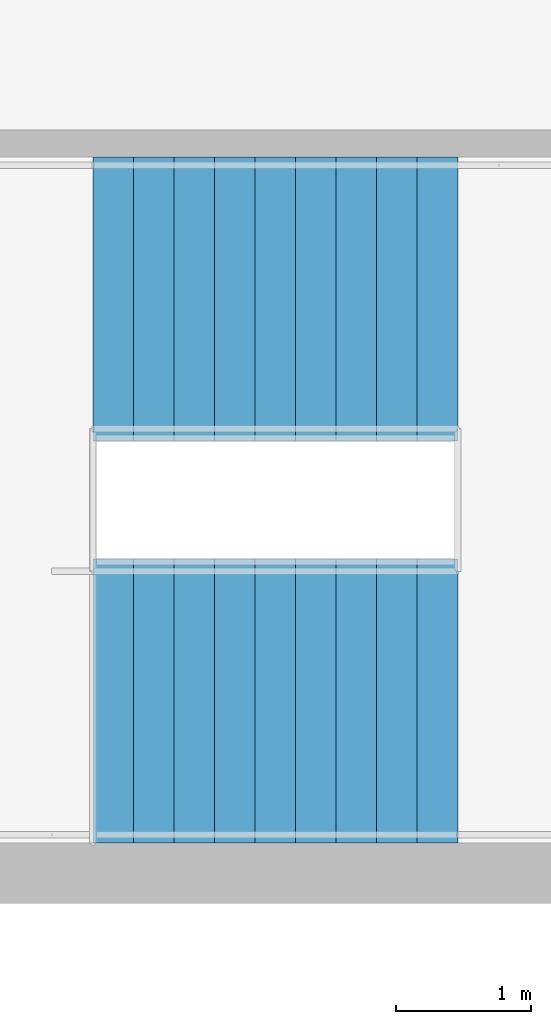
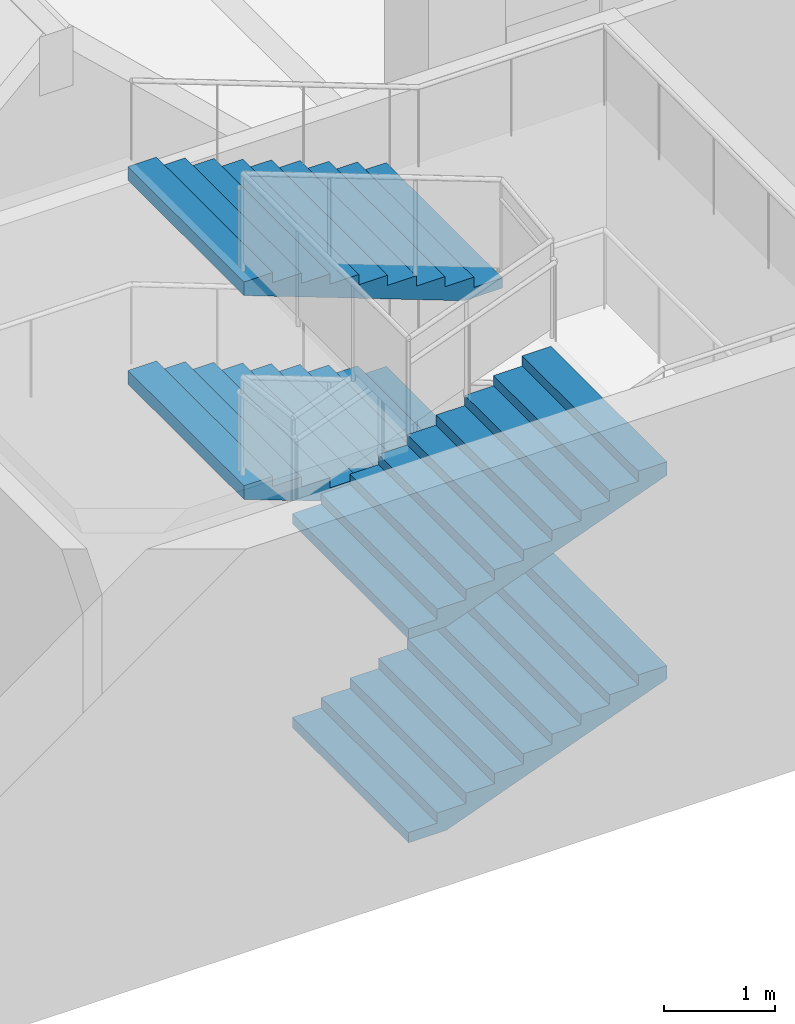
# One storey, part 34 of 56: 4 stair flights, 1 element without a shape of its own.
"""IFC4 building model written with IfcOpenShell, lengths in metres."""

from ifc_helpers import new_model, si_unit, direction, frame, origin, place, context, subcontext, project, spatial, faceted_brep, material, type_object, element, aggregate, save


model = new_model("IFC4")

# Units and contexts
model_context = context("Model", 3, precision=1e-05, world=origin(), true_north=direction((0.0, 1.0)))
body_context = subcontext(model_context, "Body", "Model", "MODEL_VIEW")
ifc_project = project(units=[si_unit("LENGTHUNIT", "METRE"), si_unit("AREAUNIT", "SQUARE_METRE"), si_unit("VOLUMEUNIT", "CUBIC_METRE"), si_unit("PLANEANGLEUNIT", "RADIAN"), si_unit("MASSUNIT", "GRAM", prefix="KILO")], contexts=[model_context])

# Site, building, storey
site_placement = place(None, origin())
site = spatial("IfcSite", under=ifc_project, at=site_placement, CompositionType="ELEMENT")
building_placement = place(site_placement, origin())
building = spatial("IfcBuilding", under=site, at=building_placement, Name="Rulbaag Community and Learning Centre", CompositionType="ELEMENT")
storey_placement = place(building_placement, frame((0.0, 0.0, 9.89990234375)))
storey = spatial("IfcBuildingStorey", under=building, at=storey_placement, Name="L02", CompositionType="ELEMENT", Elevation=9.89990234375)

# Stair, stair flights
ifc_material = material(Name="Concrete M40", Category="concrete")
stair_type = type_object("IfcStairType", Name="ST-2100 STAIR 2100 WIDE", PredefinedType="HALF_TURN_STAIR", material=ifc_material)
stair_placement = place(storey_placement, origin())
stair = element("IfcStair", 1, at=stair_placement, inside=storey, type_object=stair_type, Name="Stair ST-H9 L02", PredefinedType="HALF_TURN_STAIR")
stair_flight_type = type_object("IfcStairFlightType", Name="FL-2100 FLIGHT 2100 WIDE Concrete M40", PredefinedType="STRAIGHT", material=ifc_material)
stair_flight_1_placement = place(storey_placement, frame((20.10009765625, 1.27490234375, 0.0), z_axis=(0.0, 0.0, 1.0), x_axis=(1.0, 0.0, 0.0)))
stair_flight_1 = element("IfcStairFlight", 2, at=stair_flight_1_placement, type_object=stair_flight_type, Name="ST-H9 flight 1", NumberOfRisers=10, NumberOfTreads=9, PredefinedType="STRAIGHT", RiserHeight=0.1125, TreadLength=0.3, context=body_context, shape_type="Brep", body=[
    faceted_brep([(0.3984375, -1.050048828125, 0.0), (2.699951171875, -1.050048828125, 0.863037109375), (2.699951171875, -1.050048828125, 1.012451171875), (2.39990234375, -1.050048828125, 1.012451171875), (2.39990234375, -1.050048828125, 0.89990234375), (2.10009765625, -1.050048828125, 0.89990234375), (2.10009765625, -1.050048828125, 0.78759765625), (1.800048828125, -1.050048828125, 0.78759765625), (1.800048828125, -1.050048828125, 0.675048828125), (1.5, -1.050048828125, 0.675048828125), (1.5, -1.050048828125, 0.5625), (1.199951171875, -1.050048828125, 0.5625), (1.199951171875, -1.050048828125, 0.449951171875), (0.89990234375, -1.050048828125, 0.449951171875), (0.89990234375, -1.050048828125, 0.33740234375), (0.60009765625, -1.050048828125, 0.33740234375), (0.60009765625, -1.050048828125, 0.22509765625), (0.300048828125, -1.050048828125, 0.22509765625), (0.300048828125, -1.050048828125, 0.112548828125), (0.0, -1.050048828125, 0.112548828125), (0.0, -1.050048828125, 0.0), (0.0, 1.050048828125, 0.0), (0.0, 1.050048828125, 0.112548828125), (0.300048828125, 1.050048828125, 0.112548828125), (0.300048828125, 1.050048828125, 0.22509765625), (0.60009765625, 1.050048828125, 0.22509765625), (0.60009765625, 1.050048828125, 0.33740234375), (0.89990234375, 1.050048828125, 0.33740234375), (0.89990234375, 1.050048828125, 0.449951171875), (1.199951171875, 1.050048828125, 0.449951171875), (1.199951171875, 1.050048828125, 0.5625), (1.5, 1.050048828125, 0.5625), (1.5, 1.050048828125, 0.675048828125), (1.800048828125, 1.050048828125, 0.675048828125), (1.800048828125, 1.050048828125, 0.78759765625), (2.10009765625, 1.050048828125, 0.78759765625), (2.10009765625, 1.050048828125, 0.89990234375), (2.39990234375, 1.050048828125, 0.89990234375), (2.39990234375, 1.050048828125, 1.012451171875), (2.699951171875, 1.050048828125, 1.012451171875), (2.699951171875, 1.050048828125, 0.863037109375), (0.3984375, 1.050048828125, 0.0), (0.0, -0.52490234375, 0.112548828125), (0.0, -0.52490234375, 0.0), (0.0, 0.0, 0.112548828125), (0.0, 0.0, 0.0), (0.0, 0.52490234375, 0.112548828125), (0.0, 0.52490234375, 0.0), (0.300048828125, -0.52490234375, 0.112548828125), (0.300048828125, 0.0, 0.112548828125), (0.300048828125, 0.52490234375, 0.112548828125), (0.300048828125, -0.52490234375, 0.22509765625), (0.300048828125, 0.0, 0.22509765625), (0.300048828125, 0.52490234375, 0.22509765625), (0.60009765625, -0.52490234375, 0.22509765625), (0.60009765625, 0.0, 0.22509765625), (0.60009765625, 0.52490234375, 0.22509765625), (0.60009765625, -0.52490234375, 0.33740234375), (0.60009765625, 0.0, 0.33740234375), (0.60009765625, 0.52490234375, 0.33740234375), (0.89990234375, -0.52490234375, 0.33740234375), (0.89990234375, 0.0, 0.33740234375), (0.89990234375, 0.52490234375, 0.33740234375), (0.89990234375, -0.52490234375, 0.449951171875), (0.89990234375, 0.0, 0.449951171875), (0.89990234375, 0.52490234375, 0.449951171875), (1.199951171875, -0.52490234375, 0.449951171875), (1.199951171875, 0.0, 0.449951171875), (1.199951171875, 0.52490234375, 0.449951171875), (1.199951171875, -0.52490234375, 0.5625), (1.199951171875, 0.0, 0.5625), (1.199951171875, 0.52490234375, 0.5625), (1.5, -0.52490234375, 0.5625), (1.5, 0.0, 0.5625), (1.5, 0.52490234375, 0.5625), (1.5, -0.52490234375, 0.675048828125), (1.5, 0.0, 0.675048828125), (1.5, 0.52490234375, 0.675048828125), (1.800048828125, -0.52490234375, 0.675048828125), (1.800048828125, 0.0, 0.675048828125), (1.800048828125, 0.52490234375, 0.675048828125), (1.800048828125, -0.52490234375, 0.78759765625), (1.800048828125, 0.0, 0.78759765625), (1.800048828125, 0.52490234375, 0.78759765625), (2.10009765625, -0.52490234375, 0.78759765625), (2.10009765625, 0.0, 0.78759765625), (2.10009765625, 0.52490234375, 0.78759765625), (2.10009765625, -0.52490234375, 0.89990234375), (2.10009765625, 0.0, 0.89990234375), (2.10009765625, 0.52490234375, 0.89990234375), (2.39990234375, -0.52490234375, 0.89990234375), (2.39990234375, 0.0, 0.89990234375), (2.39990234375, 0.52490234375, 0.89990234375), (2.39990234375, -0.52490234375, 1.012451171875), (2.39990234375, 0.0, 1.012451171875), (2.39990234375, 0.52490234375, 1.012451171875), (2.699951171875, -0.52490234375, 1.012451171875), (2.699951171875, 0.0, 1.012451171875), (2.699951171875, 0.52490234375, 1.012451171875), (2.699951171875, -0.52490234375, 0.863037109375), (2.699951171875, 0.0, 0.863037109375), (2.699951171875, 0.52490234375, 0.863037109375), (0.3984375, -0.52490234375, 0.0), (0.3984375, 0.0, 0.0), (0.3984375, 0.52490234375, 0.0)], [[[0, 1, 2, 3, 4, 5, 6, 7, 8, 9, 10, 11, 12, 13, 14, 15, 16, 17, 18, 19, 20]], [[21, 22, 23, 24, 25, 26, 27, 28, 29, 30, 31, 32, 33, 34, 35, 36, 37, 38, 39, 40, 41]], [[20, 19, 42, 43]], [[43, 42, 44, 45]], [[45, 44, 46, 47]], [[47, 46, 22, 21]], [[19, 18, 48, 42]], [[42, 48, 49, 44]], [[44, 49, 50, 46]], [[46, 50, 23, 22]], [[18, 17, 51, 48]], [[48, 51, 52, 49]], [[49, 52, 53, 50]], [[50, 53, 24, 23]], [[17, 16, 54, 51]], [[51, 54, 55, 52]], [[52, 55, 56, 53]], [[53, 56, 25, 24]], [[16, 15, 57, 54]], [[54, 57, 58, 55]], [[55, 58, 59, 56]], [[56, 59, 26, 25]], [[15, 14, 60, 57]], [[57, 60, 61, 58]], [[58, 61, 62, 59]], [[59, 62, 27, 26]], [[14, 13, 63, 60]], [[60, 63, 64, 61]], [[61, 64, 65, 62]], [[62, 65, 28, 27]], [[13, 12, 66, 63]], [[63, 66, 67, 64]], [[64, 67, 68, 65]], [[65, 68, 29, 28]], [[12, 11, 69, 66]], [[66, 69, 70, 67]], [[67, 70, 71, 68]], [[68, 71, 30, 29]], [[11, 10, 72, 69]], [[69, 72, 73, 70]], [[70, 73, 74, 71]], [[71, 74, 31, 30]], [[10, 9, 75, 72]], [[72, 75, 76, 73]], [[73, 76, 77, 74]], [[74, 77, 32, 31]], [[9, 8, 78, 75]], [[75, 78, 79, 76]], [[76, 79, 80, 77]], [[77, 80, 33, 32]], [[8, 7, 81, 78]], [[78, 81, 82, 79]], [[79, 82, 83, 80]], [[80, 83, 34, 33]], [[7, 6, 84, 81]], [[81, 84, 85, 82]], [[82, 85, 86, 83]], [[83, 86, 35, 34]], [[6, 5, 87, 84]], [[84, 87, 88, 85]], [[85, 88, 89, 86]], [[86, 89, 36, 35]], [[5, 4, 90, 87]], [[87, 90, 91, 88]], [[88, 91, 92, 89]], [[89, 92, 37, 36]], [[4, 3, 93, 90]], [[90, 93, 94, 91]], [[91, 94, 95, 92]], [[92, 95, 38, 37]], [[3, 2, 96, 93]], [[93, 96, 97, 94]], [[94, 97, 98, 95]], [[95, 98, 39, 38]], [[2, 1, 99, 96]], [[96, 99, 100, 97]], [[97, 100, 101, 98]], [[98, 101, 40, 39]], [[1, 0, 102, 99]], [[99, 102, 103, 100]], [[100, 103, 104, 101]], [[101, 104, 41, 40]], [[0, 20, 43, 102]], [[102, 43, 45, 103]], [[103, 45, 47, 104]], [[104, 47, 21, 41]]]),
])
stair_flight_2_placement = place(storey_placement, frame((22.800048828125, 4.25, 1.125), z_axis=(0.0, 0.0, 1.0), x_axis=(-1.0, 0.0, 0.0)))
stair_flight_2 = element("IfcStairFlight", 3, at=stair_flight_2_placement, type_object=stair_flight_type, Name="ST-H9 flight 2", NumberOfRisers=10, NumberOfTreads=9, PredefinedType="STRAIGHT", RiserHeight=0.1125, TreadLength=0.3, context=body_context, shape_type="Brep", body=[
    faceted_brep([(0.3984375, -1.050048828125, 0.0), (2.699951171875, -1.050048828125, 0.863037109375), (2.699951171875, -1.050048828125, 1.012451171875), (2.39990234375, -1.050048828125, 1.012451171875), (2.39990234375, -1.050048828125, 0.89990234375), (2.10009765625, -1.050048828125, 0.89990234375), (2.10009765625, -1.050048828125, 0.78759765625), (1.800048828125, -1.050048828125, 0.78759765625), (1.800048828125, -1.050048828125, 0.675048828125), (1.5, -1.050048828125, 0.675048828125), (1.5, -1.050048828125, 0.5625), (1.199951171875, -1.050048828125, 0.5625), (1.199951171875, -1.050048828125, 0.449951171875), (0.89990234375, -1.050048828125, 0.449951171875), (0.89990234375, -1.050048828125, 0.33740234375), (0.60009765625, -1.050048828125, 0.33740234375), (0.60009765625, -1.050048828125, 0.22509765625), (0.300048828125, -1.050048828125, 0.22509765625), (0.300048828125, -1.050048828125, 0.112548828125), (0.0, -1.050048828125, 0.112548828125), (0.0, -1.050048828125, 0.0), (0.0, 1.050048828125, 0.0), (0.0, 1.050048828125, 0.112548828125), (0.300048828125, 1.050048828125, 0.112548828125), (0.300048828125, 1.050048828125, 0.22509765625), (0.60009765625, 1.050048828125, 0.22509765625), (0.60009765625, 1.050048828125, 0.33740234375), (0.89990234375, 1.050048828125, 0.33740234375), (0.89990234375, 1.050048828125, 0.449951171875), (1.199951171875, 1.050048828125, 0.449951171875), (1.199951171875, 1.050048828125, 0.5625), (1.5, 1.050048828125, 0.5625), (1.5, 1.050048828125, 0.675048828125), (1.800048828125, 1.050048828125, 0.675048828125), (1.800048828125, 1.050048828125, 0.78759765625), (2.10009765625, 1.050048828125, 0.78759765625), (2.10009765625, 1.050048828125, 0.89990234375), (2.39990234375, 1.050048828125, 0.89990234375), (2.39990234375, 1.050048828125, 1.012451171875), (2.699951171875, 1.050048828125, 1.012451171875), (2.699951171875, 1.050048828125, 0.863037109375), (0.3984375, 1.050048828125, 0.0), (0.0, -0.52490234375, 0.112548828125), (0.0, -0.52490234375, 0.0), (0.0, 0.0, 0.112548828125), (0.0, 0.0, 0.0), (0.0, 0.52490234375, 0.112548828125), (0.0, 0.52490234375, 0.0), (0.300048828125, -0.52490234375, 0.112548828125), (0.300048828125, 0.0, 0.112548828125), (0.300048828125, 0.52490234375, 0.112548828125), (0.300048828125, -0.52490234375, 0.22509765625), (0.300048828125, 0.0, 0.22509765625), (0.300048828125, 0.52490234375, 0.22509765625), (0.60009765625, -0.52490234375, 0.22509765625), (0.60009765625, 0.0, 0.22509765625), (0.60009765625, 0.52490234375, 0.22509765625), (0.60009765625, -0.52490234375, 0.33740234375), (0.60009765625, 0.0, 0.33740234375), (0.60009765625, 0.52490234375, 0.33740234375), (0.89990234375, -0.52490234375, 0.33740234375), (0.89990234375, 0.0, 0.33740234375), (0.89990234375, 0.52490234375, 0.33740234375), (0.89990234375, -0.52490234375, 0.449951171875), (0.89990234375, 0.0, 0.449951171875), (0.89990234375, 0.52490234375, 0.449951171875), (1.199951171875, -0.52490234375, 0.449951171875), (1.199951171875, 0.0, 0.449951171875), (1.199951171875, 0.52490234375, 0.449951171875), (1.199951171875, -0.52490234375, 0.5625), (1.199951171875, 0.0, 0.5625), (1.199951171875, 0.52490234375, 0.5625), (1.5, -0.52490234375, 0.5625), (1.5, 0.0, 0.5625), (1.5, 0.52490234375, 0.5625), (1.5, -0.52490234375, 0.675048828125), (1.5, 0.0, 0.675048828125), (1.5, 0.52490234375, 0.675048828125), (1.800048828125, -0.52490234375, 0.675048828125), (1.800048828125, 0.0, 0.675048828125), (1.800048828125, 0.52490234375, 0.675048828125), (1.800048828125, -0.52490234375, 0.78759765625), (1.800048828125, 0.0, 0.78759765625), (1.800048828125, 0.52490234375, 0.78759765625), (2.10009765625, -0.52490234375, 0.78759765625), (2.10009765625, 0.0, 0.78759765625), (2.10009765625, 0.52490234375, 0.78759765625), (2.10009765625, -0.52490234375, 0.89990234375), (2.10009765625, 0.0, 0.89990234375), (2.10009765625, 0.52490234375, 0.89990234375), (2.39990234375, -0.52490234375, 0.89990234375), (2.39990234375, 0.0, 0.89990234375), (2.39990234375, 0.52490234375, 0.89990234375), (2.39990234375, -0.52490234375, 1.012451171875), (2.39990234375, 0.0, 1.012451171875), (2.39990234375, 0.52490234375, 1.012451171875), (2.699951171875, -0.52490234375, 1.012451171875), (2.699951171875, 0.0, 1.012451171875), (2.699951171875, 0.52490234375, 1.012451171875), (2.699951171875, -0.52490234375, 0.863037109375), (2.699951171875, 0.0, 0.863037109375), (2.699951171875, 0.52490234375, 0.863037109375), (0.3984375, -0.52490234375, 0.0), (0.3984375, 0.0, 0.0), (0.3984375, 0.52490234375, 0.0)], [[[0, 1, 2, 3, 4, 5, 6, 7, 8, 9, 10, 11, 12, 13, 14, 15, 16, 17, 18, 19, 20]], [[21, 22, 23, 24, 25, 26, 27, 28, 29, 30, 31, 32, 33, 34, 35, 36, 37, 38, 39, 40, 41]], [[20, 19, 42, 43]], [[43, 42, 44, 45]], [[45, 44, 46, 47]], [[47, 46, 22, 21]], [[19, 18, 48, 42]], [[42, 48, 49, 44]], [[44, 49, 50, 46]], [[46, 50, 23, 22]], [[18, 17, 51, 48]], [[48, 51, 52, 49]], [[49, 52, 53, 50]], [[50, 53, 24, 23]], [[17, 16, 54, 51]], [[51, 54, 55, 52]], [[52, 55, 56, 53]], [[53, 56, 25, 24]], [[16, 15, 57, 54]], [[54, 57, 58, 55]], [[55, 58, 59, 56]], [[56, 59, 26, 25]], [[15, 14, 60, 57]], [[57, 60, 61, 58]], [[58, 61, 62, 59]], [[59, 62, 27, 26]], [[14, 13, 63, 60]], [[60, 63, 64, 61]], [[61, 64, 65, 62]], [[62, 65, 28, 27]], [[13, 12, 66, 63]], [[63, 66, 67, 64]], [[64, 67, 68, 65]], [[65, 68, 29, 28]], [[12, 11, 69, 66]], [[66, 69, 70, 67]], [[67, 70, 71, 68]], [[68, 71, 30, 29]], [[11, 10, 72, 69]], [[69, 72, 73, 70]], [[70, 73, 74, 71]], [[71, 74, 31, 30]], [[10, 9, 75, 72]], [[72, 75, 76, 73]], [[73, 76, 77, 74]], [[74, 77, 32, 31]], [[9, 8, 78, 75]], [[75, 78, 79, 76]], [[76, 79, 80, 77]], [[77, 80, 33, 32]], [[8, 7, 81, 78]], [[78, 81, 82, 79]], [[79, 82, 83, 80]], [[80, 83, 34, 33]], [[7, 6, 84, 81]], [[81, 84, 85, 82]], [[82, 85, 86, 83]], [[83, 86, 35, 34]], [[6, 5, 87, 84]], [[84, 87, 88, 85]], [[85, 88, 89, 86]], [[86, 89, 36, 35]], [[5, 4, 90, 87]], [[87, 90, 91, 88]], [[88, 91, 92, 89]], [[89, 92, 37, 36]], [[4, 3, 93, 90]], [[90, 93, 94, 91]], [[91, 94, 95, 92]], [[92, 95, 38, 37]], [[3, 2, 96, 93]], [[93, 96, 97, 94]], [[94, 97, 98, 95]], [[95, 98, 39, 38]], [[2, 1, 99, 96]], [[96, 99, 100, 97]], [[97, 100, 101, 98]], [[98, 101, 40, 39]], [[1, 0, 102, 99]], [[99, 102, 103, 100]], [[100, 103, 104, 101]], [[101, 104, 41, 40]], [[0, 20, 43, 102]], [[102, 43, 45, 103]], [[103, 45, 47, 104]], [[104, 47, 21, 41]]]),
])
stair_flight_3_placement = place(storey_placement, frame((20.10009765625, 1.27490234375, 2.25), z_axis=(0.0, 0.0, 1.0), x_axis=(1.0, 0.0, 0.0)))
stair_flight_3 = element("IfcStairFlight", 4, at=stair_flight_3_placement, type_object=stair_flight_type, Name="ST-H9 flight 3", NumberOfRisers=10, NumberOfTreads=9, PredefinedType="STRAIGHT", RiserHeight=0.1125, TreadLength=0.3, context=body_context, shape_type="Brep", body=[
    faceted_brep([(0.3984375, -1.050048828125, 0.0), (2.699951171875, -1.050048828125, 0.863037109375), (2.699951171875, -1.050048828125, 1.012451171875), (2.39990234375, -1.050048828125, 1.012451171875), (2.39990234375, -1.050048828125, 0.89990234375), (2.10009765625, -1.050048828125, 0.89990234375), (2.10009765625, -1.050048828125, 0.78759765625), (1.800048828125, -1.050048828125, 0.78759765625), (1.800048828125, -1.050048828125, 0.675048828125), (1.5, -1.050048828125, 0.675048828125), (1.5, -1.050048828125, 0.5625), (1.199951171875, -1.050048828125, 0.5625), (1.199951171875, -1.050048828125, 0.449951171875), (0.89990234375, -1.050048828125, 0.449951171875), (0.89990234375, -1.050048828125, 0.33740234375), (0.60009765625, -1.050048828125, 0.33740234375), (0.60009765625, -1.050048828125, 0.22509765625), (0.300048828125, -1.050048828125, 0.22509765625), (0.300048828125, -1.050048828125, 0.112548828125), (0.0, -1.050048828125, 0.112548828125), (0.0, -1.050048828125, 0.0), (0.0, 1.050048828125, 0.0), (0.0, 1.050048828125, 0.112548828125), (0.300048828125, 1.050048828125, 0.112548828125), (0.300048828125, 1.050048828125, 0.22509765625), (0.60009765625, 1.050048828125, 0.22509765625), (0.60009765625, 1.050048828125, 0.33740234375), (0.89990234375, 1.050048828125, 0.33740234375), (0.89990234375, 1.050048828125, 0.449951171875), (1.199951171875, 1.050048828125, 0.449951171875), (1.199951171875, 1.050048828125, 0.5625), (1.5, 1.050048828125, 0.5625), (1.5, 1.050048828125, 0.675048828125), (1.800048828125, 1.050048828125, 0.675048828125), (1.800048828125, 1.050048828125, 0.78759765625), (2.10009765625, 1.050048828125, 0.78759765625), (2.10009765625, 1.050048828125, 0.89990234375), (2.39990234375, 1.050048828125, 0.89990234375), (2.39990234375, 1.050048828125, 1.012451171875), (2.699951171875, 1.050048828125, 1.012451171875), (2.699951171875, 1.050048828125, 0.863037109375), (0.3984375, 1.050048828125, 0.0), (0.0, -0.52490234375, 0.112548828125), (0.0, -0.52490234375, 0.0), (0.0, 0.0, 0.112548828125), (0.0, 0.0, 0.0), (0.0, 0.52490234375, 0.112548828125), (0.0, 0.52490234375, 0.0), (0.300048828125, -0.52490234375, 0.112548828125), (0.300048828125, 0.0, 0.112548828125), (0.300048828125, 0.52490234375, 0.112548828125), (0.300048828125, -0.52490234375, 0.22509765625), (0.300048828125, 0.0, 0.22509765625), (0.300048828125, 0.52490234375, 0.22509765625), (0.60009765625, -0.52490234375, 0.22509765625), (0.60009765625, 0.0, 0.22509765625), (0.60009765625, 0.52490234375, 0.22509765625), (0.60009765625, -0.52490234375, 0.33740234375), (0.60009765625, 0.0, 0.33740234375), (0.60009765625, 0.52490234375, 0.33740234375), (0.89990234375, -0.52490234375, 0.33740234375), (0.89990234375, 0.0, 0.33740234375), (0.89990234375, 0.52490234375, 0.33740234375), (0.89990234375, -0.52490234375, 0.449951171875), (0.89990234375, 0.0, 0.449951171875), (0.89990234375, 0.52490234375, 0.449951171875), (1.199951171875, -0.52490234375, 0.449951171875), (1.199951171875, 0.0, 0.449951171875), (1.199951171875, 0.52490234375, 0.449951171875), (1.199951171875, -0.52490234375, 0.5625), (1.199951171875, 0.0, 0.5625), (1.199951171875, 0.52490234375, 0.5625), (1.5, -0.52490234375, 0.5625), (1.5, 0.0, 0.5625), (1.5, 0.52490234375, 0.5625), (1.5, -0.52490234375, 0.675048828125), (1.5, 0.0, 0.675048828125), (1.5, 0.52490234375, 0.675048828125), (1.800048828125, -0.52490234375, 0.675048828125), (1.800048828125, 0.0, 0.675048828125), (1.800048828125, 0.52490234375, 0.675048828125), (1.800048828125, -0.52490234375, 0.78759765625), (1.800048828125, 0.0, 0.78759765625), (1.800048828125, 0.52490234375, 0.78759765625), (2.10009765625, -0.52490234375, 0.78759765625), (2.10009765625, 0.0, 0.78759765625), (2.10009765625, 0.52490234375, 0.78759765625), (2.10009765625, -0.52490234375, 0.89990234375), (2.10009765625, 0.0, 0.89990234375), (2.10009765625, 0.52490234375, 0.89990234375), (2.39990234375, -0.52490234375, 0.89990234375), (2.39990234375, 0.0, 0.89990234375), (2.39990234375, 0.52490234375, 0.89990234375), (2.39990234375, -0.52490234375, 1.012451171875), (2.39990234375, 0.0, 1.012451171875), (2.39990234375, 0.52490234375, 1.012451171875), (2.699951171875, -0.52490234375, 1.012451171875), (2.699951171875, 0.0, 1.012451171875), (2.699951171875, 0.52490234375, 1.012451171875), (2.699951171875, -0.52490234375, 0.863037109375), (2.699951171875, 0.0, 0.863037109375), (2.699951171875, 0.52490234375, 0.863037109375), (0.3984375, -0.52490234375, 0.0), (0.3984375, 0.0, 0.0), (0.3984375, 0.52490234375, 0.0)], [[[0, 1, 2, 3, 4, 5, 6, 7, 8, 9, 10, 11, 12, 13, 14, 15, 16, 17, 18, 19, 20]], [[21, 22, 23, 24, 25, 26, 27, 28, 29, 30, 31, 32, 33, 34, 35, 36, 37, 38, 39, 40, 41]], [[20, 19, 42, 43]], [[43, 42, 44, 45]], [[45, 44, 46, 47]], [[47, 46, 22, 21]], [[19, 18, 48, 42]], [[42, 48, 49, 44]], [[44, 49, 50, 46]], [[46, 50, 23, 22]], [[18, 17, 51, 48]], [[48, 51, 52, 49]], [[49, 52, 53, 50]], [[50, 53, 24, 23]], [[17, 16, 54, 51]], [[51, 54, 55, 52]], [[52, 55, 56, 53]], [[53, 56, 25, 24]], [[16, 15, 57, 54]], [[54, 57, 58, 55]], [[55, 58, 59, 56]], [[56, 59, 26, 25]], [[15, 14, 60, 57]], [[57, 60, 61, 58]], [[58, 61, 62, 59]], [[59, 62, 27, 26]], [[14, 13, 63, 60]], [[60, 63, 64, 61]], [[61, 64, 65, 62]], [[62, 65, 28, 27]], [[13, 12, 66, 63]], [[63, 66, 67, 64]], [[64, 67, 68, 65]], [[65, 68, 29, 28]], [[12, 11, 69, 66]], [[66, 69, 70, 67]], [[67, 70, 71, 68]], [[68, 71, 30, 29]], [[11, 10, 72, 69]], [[69, 72, 73, 70]], [[70, 73, 74, 71]], [[71, 74, 31, 30]], [[10, 9, 75, 72]], [[72, 75, 76, 73]], [[73, 76, 77, 74]], [[74, 77, 32, 31]], [[9, 8, 78, 75]], [[75, 78, 79, 76]], [[76, 79, 80, 77]], [[77, 80, 33, 32]], [[8, 7, 81, 78]], [[78, 81, 82, 79]], [[79, 82, 83, 80]], [[80, 83, 34, 33]], [[7, 6, 84, 81]], [[81, 84, 85, 82]], [[82, 85, 86, 83]], [[83, 86, 35, 34]], [[6, 5, 87, 84]], [[84, 87, 88, 85]], [[85, 88, 89, 86]], [[86, 89, 36, 35]], [[5, 4, 90, 87]], [[87, 90, 91, 88]], [[88, 91, 92, 89]], [[89, 92, 37, 36]], [[4, 3, 93, 90]], [[90, 93, 94, 91]], [[91, 94, 95, 92]], [[92, 95, 38, 37]], [[3, 2, 96, 93]], [[93, 96, 97, 94]], [[94, 97, 98, 95]], [[95, 98, 39, 38]], [[2, 1, 99, 96]], [[96, 99, 100, 97]], [[97, 100, 101, 98]], [[98, 101, 40, 39]], [[1, 0, 102, 99]], [[99, 102, 103, 100]], [[100, 103, 104, 101]], [[101, 104, 41, 40]], [[0, 20, 43, 102]], [[102, 43, 45, 103]], [[103, 45, 47, 104]], [[104, 47, 21, 41]]]),
])
stair_flight_4_placement = place(storey_placement, frame((22.800048828125, 4.25, 3.375), z_axis=(0.0, 0.0, 1.0), x_axis=(-1.0, 0.0, 0.0)))
stair_flight_4 = element("IfcStairFlight", 5, at=stair_flight_4_placement, type_object=stair_flight_type, Name="ST-H9 flight 4", NumberOfRisers=10, NumberOfTreads=9, PredefinedType="STRAIGHT", RiserHeight=0.1125, TreadLength=0.3, context=body_context, shape_type="Brep", body=[
    faceted_brep([(0.3984375, -1.050048828125, 0.0), (2.699951171875, -1.050048828125, 0.863037109375), (2.699951171875, -1.050048828125, 1.012451171875), (2.39990234375, -1.050048828125, 1.012451171875), (2.39990234375, -1.050048828125, 0.89990234375), (2.10009765625, -1.050048828125, 0.89990234375), (2.10009765625, -1.050048828125, 0.78759765625), (1.800048828125, -1.050048828125, 0.78759765625), (1.800048828125, -1.050048828125, 0.675048828125), (1.5, -1.050048828125, 0.675048828125), (1.5, -1.050048828125, 0.5625), (1.199951171875, -1.050048828125, 0.5625), (1.199951171875, -1.050048828125, 0.449951171875), (0.89990234375, -1.050048828125, 0.449951171875), (0.89990234375, -1.050048828125, 0.33740234375), (0.60009765625, -1.050048828125, 0.33740234375), (0.60009765625, -1.050048828125, 0.22509765625), (0.300048828125, -1.050048828125, 0.22509765625), (0.300048828125, -1.050048828125, 0.112548828125), (0.0, -1.050048828125, 0.112548828125), (0.0, -1.050048828125, 0.0), (0.0, 1.050048828125, 0.0), (0.0, 1.050048828125, 0.112548828125), (0.300048828125, 1.050048828125, 0.112548828125), (0.300048828125, 1.050048828125, 0.22509765625), (0.60009765625, 1.050048828125, 0.22509765625), (0.60009765625, 1.050048828125, 0.33740234375), (0.89990234375, 1.050048828125, 0.33740234375), (0.89990234375, 1.050048828125, 0.449951171875), (1.199951171875, 1.050048828125, 0.449951171875), (1.199951171875, 1.050048828125, 0.5625), (1.5, 1.050048828125, 0.5625), (1.5, 1.050048828125, 0.675048828125), (1.800048828125, 1.050048828125, 0.675048828125), (1.800048828125, 1.050048828125, 0.78759765625), (2.10009765625, 1.050048828125, 0.78759765625), (2.10009765625, 1.050048828125, 0.89990234375), (2.39990234375, 1.050048828125, 0.89990234375), (2.39990234375, 1.050048828125, 1.012451171875), (2.699951171875, 1.050048828125, 1.012451171875), (2.699951171875, 1.050048828125, 0.863037109375), (0.3984375, 1.050048828125, 0.0), (0.0, -0.52490234375, 0.112548828125), (0.0, -0.52490234375, 0.0), (0.0, 0.0, 0.112548828125), (0.0, 0.0, 0.0), (0.0, 0.52490234375, 0.112548828125), (0.0, 0.52490234375, 0.0), (0.300048828125, -0.52490234375, 0.112548828125), (0.300048828125, 0.0, 0.112548828125), (0.300048828125, 0.52490234375, 0.112548828125), (0.300048828125, -0.52490234375, 0.22509765625), (0.300048828125, 0.0, 0.22509765625), (0.300048828125, 0.52490234375, 0.22509765625), (0.60009765625, -0.52490234375, 0.22509765625), (0.60009765625, 0.0, 0.22509765625), (0.60009765625, 0.52490234375, 0.22509765625), (0.60009765625, -0.52490234375, 0.33740234375), (0.60009765625, 0.0, 0.33740234375), (0.60009765625, 0.52490234375, 0.33740234375), (0.89990234375, -0.52490234375, 0.33740234375), (0.89990234375, 0.0, 0.33740234375), (0.89990234375, 0.52490234375, 0.33740234375), (0.89990234375, -0.52490234375, 0.449951171875), (0.89990234375, 0.0, 0.449951171875), (0.89990234375, 0.52490234375, 0.449951171875), (1.199951171875, -0.52490234375, 0.449951171875), (1.199951171875, 0.0, 0.449951171875), (1.199951171875, 0.52490234375, 0.449951171875), (1.199951171875, -0.52490234375, 0.5625), (1.199951171875, 0.0, 0.5625), (1.199951171875, 0.52490234375, 0.5625), (1.5, -0.52490234375, 0.5625), (1.5, 0.0, 0.5625), (1.5, 0.52490234375, 0.5625), (1.5, -0.52490234375, 0.675048828125), (1.5, 0.0, 0.675048828125), (1.5, 0.52490234375, 0.675048828125), (1.800048828125, -0.52490234375, 0.675048828125), (1.800048828125, 0.0, 0.675048828125), (1.800048828125, 0.52490234375, 0.675048828125), (1.800048828125, -0.52490234375, 0.78759765625), (1.800048828125, 0.0, 0.78759765625), (1.800048828125, 0.52490234375, 0.78759765625), (2.10009765625, -0.52490234375, 0.78759765625), (2.10009765625, 0.0, 0.78759765625), (2.10009765625, 0.52490234375, 0.78759765625), (2.10009765625, -0.52490234375, 0.89990234375), (2.10009765625, 0.0, 0.89990234375), (2.10009765625, 0.52490234375, 0.89990234375), (2.39990234375, -0.52490234375, 0.89990234375), (2.39990234375, 0.0, 0.89990234375), (2.39990234375, 0.52490234375, 0.89990234375), (2.39990234375, -0.52490234375, 1.012451171875), (2.39990234375, 0.0, 1.012451171875), (2.39990234375, 0.52490234375, 1.012451171875), (2.699951171875, -0.52490234375, 1.012451171875), (2.699951171875, 0.0, 1.012451171875), (2.699951171875, 0.52490234375, 1.012451171875), (2.699951171875, -0.52490234375, 0.863037109375), (2.699951171875, 0.0, 0.863037109375), (2.699951171875, 0.52490234375, 0.863037109375), (0.3984375, -0.52490234375, 0.0), (0.3984375, 0.0, 0.0), (0.3984375, 0.52490234375, 0.0)], [[[0, 1, 2, 3, 4, 5, 6, 7, 8, 9, 10, 11, 12, 13, 14, 15, 16, 17, 18, 19, 20]], [[21, 22, 23, 24, 25, 26, 27, 28, 29, 30, 31, 32, 33, 34, 35, 36, 37, 38, 39, 40, 41]], [[20, 19, 42, 43]], [[43, 42, 44, 45]], [[45, 44, 46, 47]], [[47, 46, 22, 21]], [[19, 18, 48, 42]], [[42, 48, 49, 44]], [[44, 49, 50, 46]], [[46, 50, 23, 22]], [[18, 17, 51, 48]], [[48, 51, 52, 49]], [[49, 52, 53, 50]], [[50, 53, 24, 23]], [[17, 16, 54, 51]], [[51, 54, 55, 52]], [[52, 55, 56, 53]], [[53, 56, 25, 24]], [[16, 15, 57, 54]], [[54, 57, 58, 55]], [[55, 58, 59, 56]], [[56, 59, 26, 25]], [[15, 14, 60, 57]], [[57, 60, 61, 58]], [[58, 61, 62, 59]], [[59, 62, 27, 26]], [[14, 13, 63, 60]], [[60, 63, 64, 61]], [[61, 64, 65, 62]], [[62, 65, 28, 27]], [[13, 12, 66, 63]], [[63, 66, 67, 64]], [[64, 67, 68, 65]], [[65, 68, 29, 28]], [[12, 11, 69, 66]], [[66, 69, 70, 67]], [[67, 70, 71, 68]], [[68, 71, 30, 29]], [[11, 10, 72, 69]], [[69, 72, 73, 70]], [[70, 73, 74, 71]], [[71, 74, 31, 30]], [[10, 9, 75, 72]], [[72, 75, 76, 73]], [[73, 76, 77, 74]], [[74, 77, 32, 31]], [[9, 8, 78, 75]], [[75, 78, 79, 76]], [[76, 79, 80, 77]], [[77, 80, 33, 32]], [[8, 7, 81, 78]], [[78, 81, 82, 79]], [[79, 82, 83, 80]], [[80, 83, 34, 33]], [[7, 6, 84, 81]], [[81, 84, 85, 82]], [[82, 85, 86, 83]], [[83, 86, 35, 34]], [[6, 5, 87, 84]], [[84, 87, 88, 85]], [[85, 88, 89, 86]], [[86, 89, 36, 35]], [[5, 4, 90, 87]], [[87, 90, 91, 88]], [[88, 91, 92, 89]], [[89, 92, 37, 36]], [[4, 3, 93, 90]], [[90, 93, 94, 91]], [[91, 94, 95, 92]], [[92, 95, 38, 37]], [[3, 2, 96, 93]], [[93, 96, 97, 94]], [[94, 97, 98, 95]], [[95, 98, 39, 38]], [[2, 1, 99, 96]], [[96, 99, 100, 97]], [[97, 100, 101, 98]], [[98, 101, 40, 39]], [[1, 0, 102, 99]], [[99, 102, 103, 100]], [[100, 103, 104, 101]], [[101, 104, 41, 40]], [[0, 20, 43, 102]], [[102, 43, 45, 103]], [[103, 45, 47, 104]], [[104, 47, 21, 41]]]),
])
aggregate(stair, [stair_flight_1, stair_flight_2, stair_flight_3, stair_flight_4])

save(model, "model.ifc")
